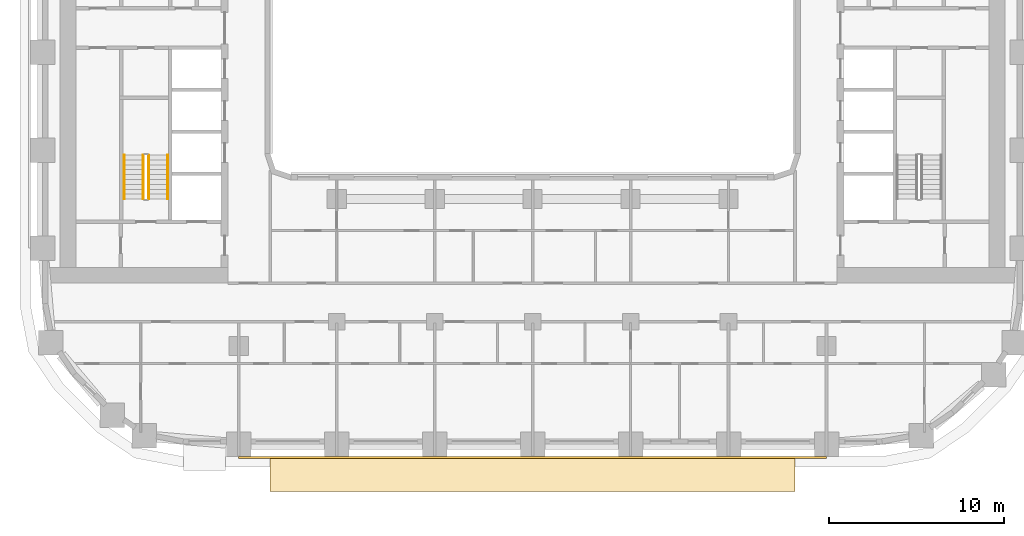
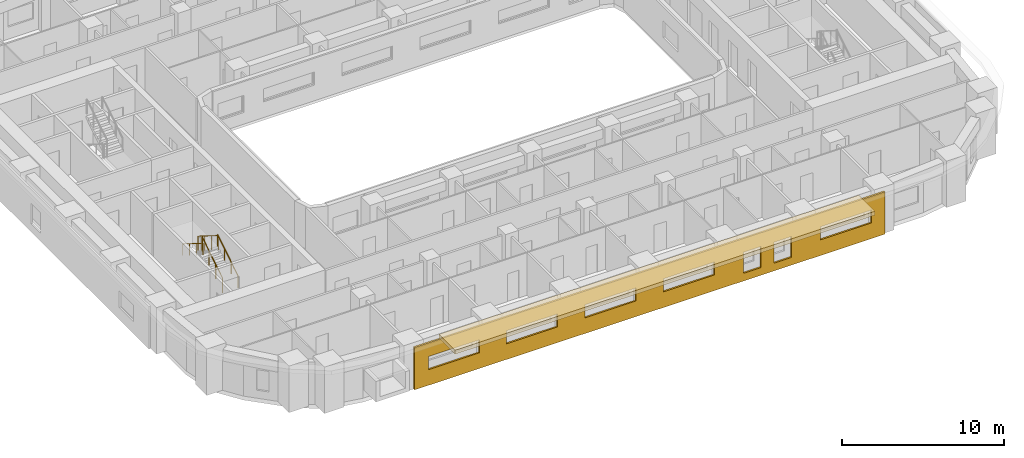
# One storey, part 13 of 22: 4 railings, 2 coverings.
"""IFC4 building model written with IfcOpenShell, lengths in metres."""

import ifcopenshell
import ifcopenshell.guid

model = None  # the IFC model being written
_history = None  # IfcOwnerHistory: only IFC2X3 demands one
_inside = {}  # id of a spatial element -> (the spatial element, [elements in it])
_under = {}  # id of a project, library or spatial element -> (it, [spatial elements below it])
_declared = {}  # id of a project -> (the project, [libraries it declares])
_typed = {}  # id of a type object -> (the type object, [elements of that type])
_made_of = {}  # id of a material, layer set ... -> (it, [elements and type objects made of it])


def new_model(schema):
    """Start an empty IFC model of exactly this schema.

    Asked for "IFC4X3", IfcOpenShell would pick the latest addendum, in which some entities
    have other attributes; the version numbers below select the first issue.
    IFC2X3 requires an IfcOwnerHistory on every rooted entity: one is made here for all.
    """
    global model, _history
    if schema == "IFC4X3":
        model = ifcopenshell.file(schema_version=(4, 3, 0, 0))
    else:
        model = ifcopenshell.file(schema=schema)
    _inside.clear()
    _under.clear()
    _declared.clear()
    _typed.clear()
    _made_of.clear()
    _history = None
    if model.schema == "IFC2X3":
        org = make("IfcOrganization", Name="unknown")
        user = make(
            "IfcPersonAndOrganization",
            ThePerson=make("IfcPerson", FamilyName="unknown"),
            TheOrganization=org,
        )
        app = make(
            "IfcApplication",
            ApplicationDeveloper=org,
            Version="unknown",
            ApplicationFullName="unknown",
            ApplicationIdentifier="unknown",
        )
        _history = make(
            "IfcOwnerHistory",
            OwningUser=user,
            OwningApplication=app,
            ChangeAction="ADDED",
            CreationDate=0,
        )
    return model


def make(cls, **values):
    """One entity of the class cls with the attributes given. An attribute that is None is left unset."""
    return model.create_entity(
        cls, **{name: value for name, value in values.items() if value is not None}
    )


def rooted(cls, **values):
    """An entity with a GlobalId (a new one), such as an element, a storey or a relation."""
    return make(cls, GlobalId=ifcopenshell.guid.new(), OwnerHistory=_history, **values)


def si_unit(unit_type, name, prefix=None):
    """IfcSIUnit, for example si_unit("LENGTHUNIT", "METRE", prefix="MILLI")."""
    return make("IfcSIUnit", UnitType=unit_type, Prefix=prefix, Name=name)


def assignment(units):
    """IfcUnitAssignment: the units of a project."""
    return None if units is None else make("IfcUnitAssignment", Units=units)


def point(xyz):
    """IfcCartesianPoint."""
    return None if xyz is None else make("IfcCartesianPoint", Coordinates=xyz)


def direction(xyz):
    """IfcDirection."""
    return None if xyz is None else make("IfcDirection", DirectionRatios=xyz)


def frame(location, z_axis=None, x_axis=None):
    """IfcAxis2Placement3D, a coordinate frame: its origin and axes. An axis left out is left unset."""
    return make(
        "IfcAxis2Placement3D",
        Location=point(location),
        Axis=direction(z_axis),
        RefDirection=direction(x_axis),
    )


def frame_2d(location, x_axis=None):
    """IfcAxis2Placement2D, a coordinate frame in the plane: its origin and x axis."""
    return make(
        "IfcAxis2Placement2D", Location=point(location), RefDirection=direction(x_axis)
    )


def origin():
    """The frame at (0, 0, 0) with its axes left unset."""
    return frame((0.0, 0.0, 0.0))


def origin_2d():
    """The frame at (0, 0) in the plane with its x axis left unset."""
    return frame_2d((0.0, 0.0))


def place(relative_to, where):
    """IfcLocalPlacement: puts the frame where relative to a parent placement (None: the world)."""
    return make(
        "IfcLocalPlacement", PlacementRelTo=relative_to, RelativePlacement=where
    )


def context(
    kind, dimensions, precision=None, world=None, true_north=None, identifier=None
):
    """IfcGeometricRepresentationContext, for example the 3D "Model" context."""
    return make(
        "IfcGeometricRepresentationContext",
        ContextIdentifier=identifier,
        ContextType=kind,
        CoordinateSpaceDimension=dimensions,
        Precision=precision,
        WorldCoordinateSystem=world,
        TrueNorth=true_north,
    )


def subcontext(parent, identifier, kind, view, scale=None):
    """IfcGeometricRepresentationSubContext, for example "Body" below "Model"."""
    return make(
        "IfcGeometricRepresentationSubContext",
        ContextIdentifier=identifier,
        ContextType=kind,
        ParentContext=parent,
        TargetScale=scale,
        TargetView=view,
    )


def project(units=None, contexts=None):
    """IfcProject with its units and contexts."""
    return rooted(
        "IfcProject",
        Name="project",
        RepresentationContexts=contexts,
        UnitsInContext=assignment(units),
    )


def spatial(cls, under=None, at=None, **own):
    """A site, building, storey or space (cls), placed at a placement, below another one or the project."""
    s = rooted(cls, ObjectPlacement=at, **own)
    if under is not None:
        _under.setdefault(under.id(), (under, []))[1].append(s)
    return s


def polyline(points):
    """IfcPolyline through the points."""
    return make("IfcPolyline", Points=[point(p) for p in points])


def profile(cls, at=None, kind="AREA", **sizes):
    """A parametric profile (cls). Its sizes go by their IFC names, for example OverallWidth=200.0."""
    return make(cls, ProfileType=kind, Position=at, **sizes)


def circle(**sizes):
    """IfcCircleProfileDef."""
    return profile("IfcCircleProfileDef", **sizes)


def outline(outer, holes=None, kind="AREA"):
    """IfcArbitraryClosedProfileDef: a profile drawn as a closed curve; with holes, ...WithVoids."""
    if holes is None:
        return make("IfcArbitraryClosedProfileDef", ProfileType=kind, OuterCurve=outer)
    return make(
        "IfcArbitraryProfileDefWithVoids",
        ProfileType=kind,
        OuterCurve=outer,
        InnerCurves=holes,
    )


def extrude(swept, where, along, depth):
    """IfcExtrudedAreaSolid: the profile swept, set in the frame where, extruded along a direction by depth."""
    return make(
        "IfcExtrudedAreaSolid",
        SweptArea=swept,
        Position=where,
        ExtrudedDirection=direction(along),
        Depth=depth,
    )


def shape(context_of_items, identifier, shape_type, items):
    """IfcShapeRepresentation: the items that make up one representation, for example the "Body"."""
    return make(
        "IfcShapeRepresentation",
        ContextOfItems=context_of_items,
        RepresentationIdentifier=identifier,
        RepresentationType=shape_type,
        Items=items,
    )


def material(Name=None, Category=None):
    """IfcMaterial."""
    return make("IfcMaterial", Name=Name, Category=Category)


def layer(
    of_material, thickness, ventilated=None, Name=None, Category=None, Priority=None
):
    """IfcMaterialLayer: one layer of a wall or slab, of a material (None: an air gap)."""
    return make(
        "IfcMaterialLayer",
        Material=of_material,
        LayerThickness=thickness,
        IsVentilated=ventilated,
        Name=Name,
        Category=Category,
        Priority=Priority,
    )


def layer_set(layers, Name=None):
    """IfcMaterialLayerSet."""
    return make("IfcMaterialLayerSet", MaterialLayers=layers, LayerSetName=Name)


def made_of(thing, what):
    """Note that an element or type object is made of a material, layer set ...; save() writes the relation."""
    if what is not None:
        _made_of.setdefault(what.id(), (what, []))[1].append(thing)
    return thing


def type_object(cls, material=None, **own):
    """A type object (cls), such as IfcWallType, which elements share."""
    return made_of(rooted(cls, **own), material)


def element(
    cls,
    number,
    at=None,
    inside=None,
    cuts=None,
    type_object=None,
    material=None,
    context=None,
    identifier="Body",
    shape_type=None,
    held_by="IfcProductDefinitionShape",
    body=None,
    shapes=None,
    **own,
):
    """One element of the class cls, such as IfcWall. Its Tag is "e" and its number.

    at: its placement. inside: the storey or other place that contains it. cuts: it is an
    opening in that element (IfcRelVoidsElement). A single representation is given by context,
    identifier, shape_type and body (its items); several are given by shapes. held_by: the class
    of the entity that holds the representations. save() writes the other relations.
    """
    e = rooted(cls, Tag="e%d" % number, ObjectPlacement=at, **own)
    if body is not None:
        shapes = [shape(context, identifier, shape_type, body)]
    if shapes is not None:
        e.Representation = make(held_by, Representations=shapes)
    if inside is not None:
        _inside.setdefault(inside.id(), (inside, []))[1].append(e)
    if cuts is not None:
        rooted(
            "IfcRelVoidsElement", RelatingBuildingElement=cuts, RelatedOpeningElement=e
        )
    if type_object is not None:
        _typed.setdefault(type_object.id(), (type_object, []))[1].append(e)
    return made_of(e, material)


def aggregate(whole, parts):
    """IfcRelAggregates: a whole, such as a stair, and the parts it consists of."""
    return rooted("IfcRelAggregates", RelatingObject=whole, RelatedObjects=parts)


def save(model, path):
    """Write the relations noted so far, then the file.

    IfcRelAggregates (storeys below a building ...), IfcRelContainedInSpatialStructure (elements
    in a storey), IfcRelDefinesByType, IfcRelAssociatesMaterial and IfcRelDeclares: one each for
    every whole, place, type object, material and project.
    """
    for whole, parts in _under.values():
        aggregate(whole, parts)
    for where, things in _inside.values():
        rooted(
            "IfcRelContainedInSpatialStructure",
            RelatedElements=things,
            RelatingStructure=where,
        )
    for kind, things in _typed.values():
        rooted("IfcRelDefinesByType", RelatedObjects=things, RelatingType=kind)
    for what, things in _made_of.values():
        rooted("IfcRelAssociatesMaterial", RelatedObjects=things, RelatingMaterial=what)
    for by, libraries in _declared.values():
        rooted("IfcRelDeclares", RelatingContext=by, RelatedDefinitions=libraries)
    model.write(path)


model = new_model("IFC4")

# Units and contexts
model_context = context("Model", 3, precision=1e-05, world=origin(), true_north=direction((0.0, 1.0)))
body_context = subcontext(model_context, "Body", "Model", "MODEL_VIEW")
ifc_project = project(units=[si_unit("LENGTHUNIT", "METRE"), si_unit("AREAUNIT", "SQUARE_METRE"), si_unit("VOLUMEUNIT", "CUBIC_METRE"), si_unit("PLANEANGLEUNIT", "RADIAN"), si_unit("MASSUNIT", "GRAM", prefix="KILO")], contexts=[model_context])

# Site, building, storey
site_placement = place(None, origin())
site = spatial("IfcSite", under=ifc_project, at=site_placement, CompositionType="ELEMENT")
building_placement = place(site_placement, origin())
building = spatial("IfcBuilding", under=site, at=building_placement, Name="Kiln Ring Residences", CompositionType="ELEMENT")
storey_placement = place(building_placement, frame((0.0, 0.0, 65.5)))
storey = spatial("IfcBuildingStorey", under=building, at=storey_placement, Name="L16", CompositionType="ELEMENT", Elevation=65.5)

# Railings
ifc_material_1 = material(Name="Stainless steel", Category="steel")
railing_type_1 = type_object("IfcRailingType", Name="CORE-STAIR-GUARD", PredefinedType="GUARDRAIL", material=ifc_material_1)
railing_1_placement = place(storey_placement, frame((-21.949951171875, -8.39990234375, 0.175048828125)))
element("IfcRailing", 1, at=railing_1_placement, inside=storey, type_object=railing_type_1, Name="L16 W-STS stair guard 1", PredefinedType="GUARDRAIL", context=body_context, shape_type="SweptSolid", body=[
    extrude(circle(Radius=0.02392578125, at=origin_2d()), frame((0.0, 0.0, 1.076171875), z_axis=(0.0, 0.848007534815, 0.529984170421), x_axis=(-1.0, 0.0, 0.0)), (0.0, 0.0, 1.0), 2.9716796875),
    extrude(circle(Radius=0.02099609375, at=origin_2d()), origin(), (0.0, 0.0, 1.0), 1.052001953125),
    extrude(circle(Radius=0.02099609375, at=origin_2d()), frame((0.0, 0.840087890625, 0.52490234375)), (0.0, 0.0, 1.0), 1.052001953125),
    extrude(circle(Radius=0.02099609375, at=origin_2d()), frame((0.0, 1.679931640625, 1.050048828125)), (0.0, 0.0, 1.0), 1.052001953125),
    extrude(circle(Radius=0.02099609375, at=origin_2d()), frame((0.0, 2.52001953125, 1.574951171875)), (0.0, 0.0, 1.0), 1.052001953125),
])
railing_2_placement = place(storey_placement, frame((-22.25, -5.8798828125, 1.925048828125)))
element("IfcRailing", 2, at=railing_2_placement, inside=storey, type_object=railing_type_1, Name="L16 W-STS stair guard 3", PredefinedType="GUARDRAIL", context=body_context, shape_type="SweptSolid", body=[
    extrude(circle(Radius=0.02392578125, at=origin_2d()), frame((0.0, 0.0, 1.076171875), z_axis=(0.0, -0.848007534815, 0.529984170421), x_axis=(1.0, 0.0, 0.0)), (0.0, 0.0, 1.0), 2.9716796875),
    extrude(circle(Radius=0.02099609375, at=origin_2d()), origin(), (0.0, 0.0, 1.0), 1.052001953125),
    extrude(circle(Radius=0.02099609375, at=origin_2d()), frame((0.0, -0.840087890625, 0.52490234375)), (0.0, 0.0, 1.0), 1.052001953125),
    extrude(circle(Radius=0.02099609375, at=origin_2d()), frame((0.0, -1.679931640625, 1.050048828125)), (0.0, 0.0, 1.0), 1.052001953125),
    extrude(circle(Radius=0.02099609375, at=origin_2d()), frame((0.0, -2.52001953125, 1.574951171875)), (0.0, 0.0, 1.0), 1.052001953125),
])
ifc_material_2 = material(Name="Stainless steel", Category="steel")
railing_type_2 = type_object("IfcRailingType", Name="CORE-STAIR-HANDRAIL", PredefinedType="HANDRAIL", material=ifc_material_2)
railing_3_placement = place(storey_placement, frame((-20.85009765625, -8.39990234375, 0.175048828125)))
element("IfcRailing", 3, at=railing_3_placement, inside=storey, type_object=railing_type_2, Name="L16 W-STS stair handrail 1", PredefinedType="HANDRAIL", context=body_context, shape_type="SweptSolid", body=[
    extrude(circle(Radius=0.02392578125, at=origin_2d()), frame((0.0, 0.0, 0.8759765625), z_axis=(0.0, 0.848007534815, 0.529984170421), x_axis=(-1.0, 0.0, 0.0)), (0.0, 0.0, 1.0), 2.9716796875),
    extrude(circle(Radius=0.02099609375, at=origin_2d()), origin(), (0.0, 0.0, 1.0), 0.851806640625),
    extrude(circle(Radius=0.02099609375, at=origin_2d()), frame((0.0, 0.840087890625, 0.52490234375)), (0.0, 0.0, 1.0), 0.851806640625),
    extrude(circle(Radius=0.02099609375, at=origin_2d()), frame((0.0, 1.679931640625, 1.050048828125)), (0.0, 0.0, 1.0), 0.851806640625),
    extrude(circle(Radius=0.02099609375, at=origin_2d()), frame((0.0, 2.52001953125, 1.574951171875)), (0.0, 0.0, 1.0), 0.851806640625),
])
railing_4_placement = place(storey_placement, frame((-23.35009765625, -5.8798828125, 1.925048828125)))
element("IfcRailing", 4, at=railing_4_placement, inside=storey, type_object=railing_type_2, Name="L16 W-STS stair handrail 2", PredefinedType="HANDRAIL", context=body_context, shape_type="SweptSolid", body=[
    extrude(circle(Radius=0.02392578125, at=origin_2d()), frame((0.0, 0.0, 0.8759765625), z_axis=(0.0, -0.848007534815, 0.529984170421), x_axis=(1.0, 0.0, 0.0)), (0.0, 0.0, 1.0), 2.9716796875),
    extrude(circle(Radius=0.02099609375, at=origin_2d()), origin(), (0.0, 0.0, 1.0), 0.851806640625),
    extrude(circle(Radius=0.02099609375, at=origin_2d()), frame((0.0, -0.840087890625, 0.52490234375)), (0.0, 0.0, 1.0), 0.851806640625),
    extrude(circle(Radius=0.02099609375, at=origin_2d()), frame((0.0, -1.679931640625, 1.050048828125)), (0.0, 0.0, 1.0), 0.851806640625),
    extrude(circle(Radius=0.02099609375, at=origin_2d()), frame((0.0, -2.52001953125, 1.574951171875)), (0.0, 0.0, 1.0), 0.851806640625),
])

# Coverings
ifc_material_3 = material(Name="Brick masonry, dark clay brick", Category="masonry")
ifc_layer_1 = layer(ifc_material_3, 0.1201171875)
ifc_layer_set_1 = layer_set([ifc_layer_1], Name="RAINSCREEN PANEL 120")
covering_type_1 = type_object("IfcCoveringType", Name="RAINSCREEN PANEL 120", PredefinedType="CLADDING", material=ifc_layer_set_1)
covering_1_placement = place(storey_placement, frame((-16.800048828125, -23.159912109375, 0.0), z_axis=(0.0, 0.0, 1.0), x_axis=(1.0, 0.0, 0.0)))
element("IfcCovering", 5, at=covering_1_placement, inside=storey, type_object=covering_type_1, Name="RAINSCREEN L16", PredefinedType="CLADDING", context=body_context, shape_type="SweptSolid", body=[
    extrude(outline(polyline([(0.0, 0.0), (33.60009765625, 0.0), (33.60009765625, 3.199951171875), (0.0, 3.199951171875), (0.0, 0.0)]), holes=[polyline([(24.732421875, 0.580078125), (24.732421875, 2.169921875), (23.492431640625, 2.169921875), (23.492431640625, 0.580078125), (24.732421875, 0.580078125)]), polyline([(25.66748046875, 0.580078125), (26.907470703125, 0.580078125), (26.907470703125, 2.169921875), (25.66748046875, 2.169921875), (25.66748046875, 0.580078125)]), polyline([(0.97998046875, 1.179931640625), (4.6201171875, 1.179931640625), (4.6201171875, 2.169921875), (0.97998046875, 2.169921875), (0.97998046875, 1.179931640625)]), polyline([(6.580078125, 1.179931640625), (10.219970703125, 1.179931640625), (10.219970703125, 2.169921875), (6.580078125, 2.169921875), (6.580078125, 1.179931640625)]), polyline([(12.179931640625, 1.179931640625), (15.820068359375, 1.179931640625), (15.820068359375, 2.169921875), (12.179931640625, 2.169921875), (12.179931640625, 1.179931640625)]), polyline([(17.780029296875, 1.179931640625), (21.419921875, 1.179931640625), (21.419921875, 2.169921875), (17.780029296875, 2.169921875), (17.780029296875, 1.179931640625)]), polyline([(28.97998046875, 1.179931640625), (32.6201171875, 1.179931640625), (32.6201171875, 2.169921875), (28.97998046875, 2.169921875), (28.97998046875, 1.179931640625)])]), frame((0.0, 0.06005859375, 0.0), z_axis=(0.0, -1.0, 0.0), x_axis=(1.0, 0.0, 0.0)), (0.0, 0.0, 1.0), 0.1201171875),
])
ifc_material_4 = material(Name="Black powder-coated steel", Category="steel")
ifc_layer_2 = layer(ifc_material_4, 0.300048828125)
ifc_layer_set_2 = layer_set([ifc_layer_2], Name="SUNSHADE BAND 2000")
covering_type_2 = type_object("IfcCoveringType", Name="SUNSHADE BAND 2000", PredefinedType="CLADDING", material=ifc_layer_set_2)
covering_2_placement = place(storey_placement, frame((0.0, 0.0, 3.199951171875)))
element("IfcCovering", 6, at=covering_2_placement, inside=storey, type_object=covering_type_2, Name="SUNSHADE BAND L16", PredefinedType="CLADDING", context=body_context, shape_type="SweptSolid", body=[
    extrude(outline(polyline([(-15.0, -25.10009765625), (15.0, -25.10009765625), (15.0, -23.10009765625), (-15.0, -23.10009765625), (-15.0, -25.10009765625)])), origin(), (0.0, 0.0, 1.0), 0.300048828125),
])

save(model, "model.ifc")
